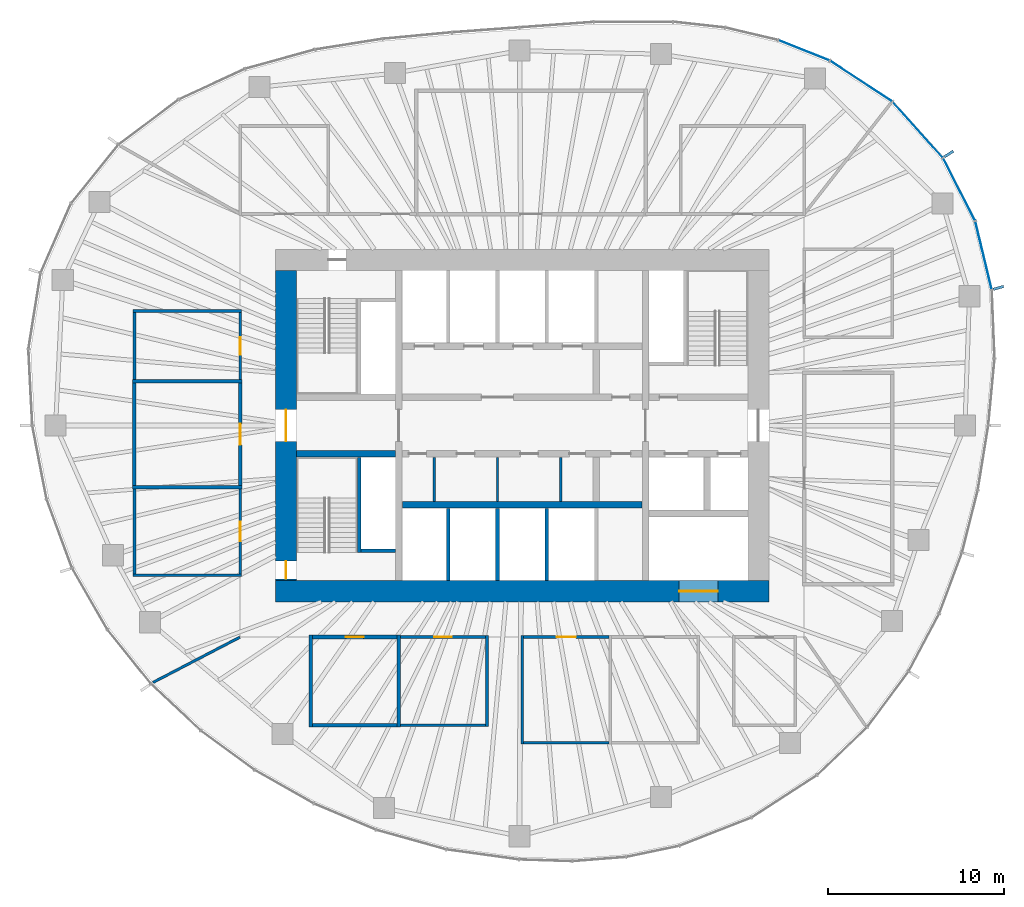
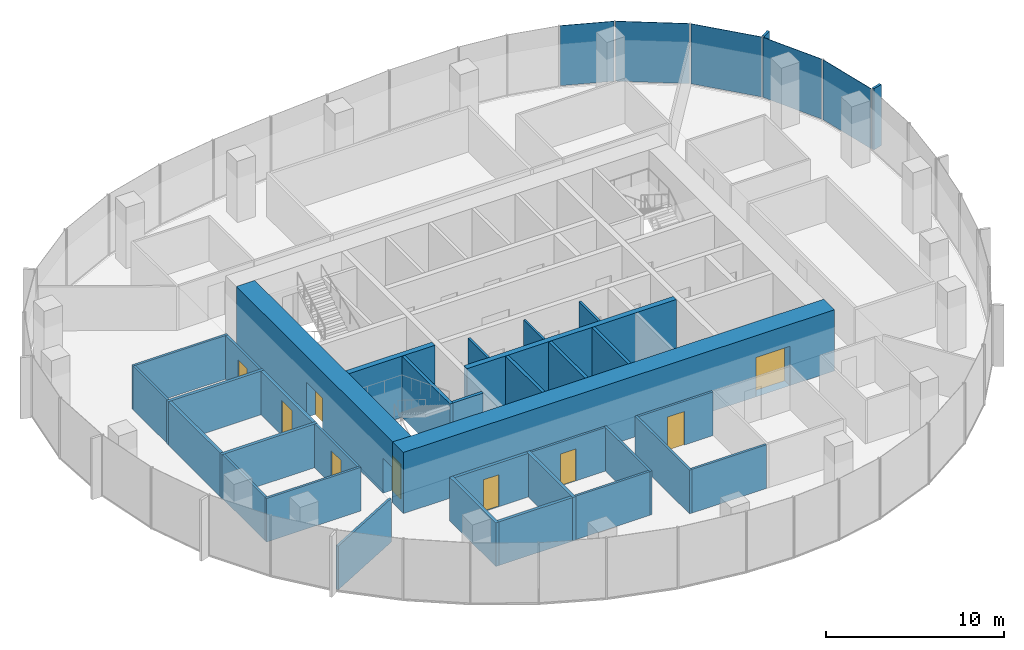
# One storey, part 8 of 11: 33 walls, 9 doors, 7 plates, 9 openings, 3 elements without a shape of their own.
"""IFC4 building model written with IfcOpenShell, lengths in metres."""

from ifc_helpers import new_model, si_unit, direction, frame, frame_2d, origin, origin_2d, place, context, subcontext, project, spatial, rectangle, extrude, material, layer, layer_set, type_object, element, fill, aggregate, save


model = new_model("IFC4")

# Units and contexts
model_context = context("Model", 3, precision=1e-05, world=origin(), true_north=direction((0.0, 1.0)))
body_context = subcontext(model_context, "Body", "Model", "MODEL_VIEW")
ifc_project = project(units=[si_unit("LENGTHUNIT", "METRE"), si_unit("AREAUNIT", "SQUARE_METRE"), si_unit("VOLUMEUNIT", "CUBIC_METRE"), si_unit("PLANEANGLEUNIT", "RADIAN"), si_unit("MASSUNIT", "GRAM", prefix="KILO")], contexts=[model_context])

# Site, building, storey
site_placement = place(None, origin())
site = spatial("IfcSite", under=ifc_project, at=site_placement, CompositionType="ELEMENT")
building_placement = place(site_placement, origin())
building = spatial("IfcBuilding", under=site, at=building_placement, Name="Ghaith Harvest Tower", CompositionType="ELEMENT")
storey_placement = place(building_placement, frame((0.0, 0.0, 257.800048828125)))
storey = spatial("IfcBuildingStorey", under=building, at=storey_placement, Name="L57", CompositionType="ELEMENT", Elevation=257.800048828125)

# Curtain wall, plates
ifc_material_1 = material(Name="Black anodised aluminium and fritted glass", Category="aluminium")
curtain_wall_type = type_object("IfcCurtainWallType", Name="CW-H CURTAIN WALL", PredefinedType="NOTDEFINED", material=ifc_material_1)
curtain_wall_1_placement = place(storey_placement, origin())
curtain_wall_1 = element("IfcCurtainWall", 1, at=curtain_wall_1_placement, inside=storey, type_object=curtain_wall_type, Name="Curtain wall CW-H bay 02 L57", PredefinedType="NOTDEFINED")
ifc_material_2 = material(Name="Glass, dark solar-control fritted double glazed unit", Category="glass")
ifc_layer_1 = layer(ifc_material_2, 0.030029296875)
ifc_layer_set_1 = layer_set([ifc_layer_1], Name="CW-H VISION PANEL")
plate_type_1 = type_object("IfcPlateType", Name="CW-H VISION PANEL", PredefinedType="CURTAIN_PANEL", material=ifc_layer_set_1)
plate_1_placement = place(storey_placement, frame((26.1767578125, 9.6533203125, 0.079833984375), z_axis=(0.0, 0.0, 1.0), x_axis=(-0.233894000303, 0.972262102842, 0.0)))
plate_1 = element("IfcPlate", 2, at=plate_1_placement, type_object=plate_type_1, Name="CW-H glass unit 1 bay 02 L57", PredefinedType="CURTAIN_PANEL", context=body_context, shape_type="SweptSolid", body=[
    extrude(rectangle(XDim=3.935546875, YDim=0.030029296875, at=origin_2d()), origin(), (0.0, 0.0, 1.0), 4.1201171875),
])
plate_2_placement = place(storey_placement, frame((24.790771484375, 13.399658203125, 0.079833984375), z_axis=(0.0, 0.0, 1.0), x_axis=(-0.454915320985, 0.890534699342, 0.0)))
plate_2 = element("IfcPlate", 3, at=plate_2_placement, type_object=plate_type_1, Name="CW-H glass unit 2 bay 02 L57", PredefinedType="CURTAIN_PANEL", context=body_context, shape_type="SweptSolid", body=[
    extrude(rectangle(XDim=3.949462890625, YDim=0.030029296875, at=origin_2d()), origin(), (0.0, 0.0, 1.0), 4.1201171875),
])
aggregate(curtain_wall_1, [plate_1, plate_2])

curtain_wall_2_placement = place(storey_placement, origin())
curtain_wall_2 = element("IfcCurtainWall", 4, at=curtain_wall_2_placement, inside=storey, type_object=curtain_wall_type, Name="Curtain wall CW-H bay 03 L57", PredefinedType="NOTDEFINED")
plate_3_placement = place(storey_placement, frame((22.44384765625, 16.783935546875, 0.079833984375), z_axis=(0.0, 0.0, 1.0), x_axis=(-0.668757736889, 0.743480389352, 0.0)))
plate_3 = element("IfcPlate", 5, at=plate_3_placement, type_object=plate_type_1, Name="CW-H glass unit 1 bay 03 L57", PredefinedType="CURTAIN_PANEL", context=body_context, shape_type="SweptSolid", body=[
    extrude(rectangle(XDim=4.19775390625, YDim=0.030029296875, at=origin_2d()), origin(), (0.0, 0.0, 1.0), 4.1201171875),
])
plate_4_placement = place(storey_placement, frame((19.236328125, 19.539306640625, 0.079833984375), z_axis=(0.0, 0.0, 1.0), x_axis=(-0.836276741583, 0.548307588392, 0.0)))
plate_4 = element("IfcPlate", 6, at=plate_4_placement, type_object=plate_type_1, Name="CW-H glass unit 2 bay 03 L57", PredefinedType="CURTAIN_PANEL", context=body_context, shape_type="SweptSolid", body=[
    extrude(rectangle(XDim=4.169677734375, YDim=0.030029296875, at=origin_2d()), origin(), (0.0, 0.0, 1.0), 4.1201171875),
])
aggregate(curtain_wall_2, [plate_3, plate_4])

# Curtain wall, plate
curtain_wall_3_placement = place(storey_placement, origin())
curtain_wall_3 = element("IfcCurtainWall", 7, at=curtain_wall_3_placement, inside=storey, type_object=curtain_wall_type, Name="Curtain wall CW-H bay 04 L57", PredefinedType="NOTDEFINED")
plate_5_placement = place(storey_placement, frame((15.993408203125, 21.287841796875, 0.079833984375), z_axis=(0.0, 0.0, 1.0), x_axis=(-0.929107322045, 0.369810200133, 0.0)))
plate_5 = element("IfcPlate", 8, at=plate_5_placement, type_object=plate_type_1, Name="CW-H glass unit 1 bay 04 L57", PredefinedType="CURTAIN_PANEL", context=body_context, shape_type="SweptSolid", body=[
    extrude(rectangle(XDim=3.075927734375, YDim=0.030029296875, at=origin_2d()), origin(), (0.0, 0.0, 1.0), 4.1201171875),
])
aggregate(curtain_wall_3, [plate_5])

# Plates
ifc_material_3 = material(Name="Glassfibre-reinforced concrete", Category="concrete")
ifc_layer_2 = layer(ifc_material_3, 0.14990234375)
ifc_layer_set_2 = layer_set([ifc_layer_2], Name="SUN-BREAKER FIN 600x150")
plate_type_2 = type_object("IfcPlateType", Name="SUN-BREAKER FIN 600x150", PredefinedType="USERDEFINED", material=ifc_layer_set_2)
for number, where, z_axis, x_axis, name in (
    (9, (27.03076171875, 7.8125, 0.0), (0.0, 0.0, 1.0), (0.960680349985, 0.277656739792, 0.0), "Sun-breaker fin CW-H 1 bay 02 L57"),
    (10, (24.211669921875, 15.408447265625, 0.0), (0.0, 0.0, 1.0), (0.843643971464, 0.536903016766, 0.0), "Sun-breaker fin CW-H 1 bay 03 L57"),
):
    element("IfcPlate", number, at=place(storey_placement, frame(where, z_axis=z_axis, x_axis=x_axis)), inside=storey, type_object=plate_type_2, Name=name, ObjectType="SUN-BREAKER FIN", PredefinedType="USERDEFINED", context=body_context, shape_type="SweptSolid", body=[
        extrude(rectangle(XDim=0.60009765625, YDim=0.14990234375, at=origin_2d()), origin(), (0.0, 0.0, 1.0), 4.199951171875),
    ])

# Walls
ifc_material_4 = material(Name="Twin-stud gypsum board, acoustic", Category="gypsum")
ifc_layer_3 = layer(ifc_material_4, 0.199951171875)
ifc_layer_set_3 = layer_set([ifc_layer_3], Name="ACOUSTIC PARTITION 200")
wall_type_1 = type_object("IfcWallType", Name="ACOUSTIC PARTITION 200", PredefinedType="PARTITIONING", material=ifc_layer_set_3)
for number, where, z_axis, x_axis, name in (
    (11, (-12.0, -11.89990234375, 0.0), (0.0, 0.0, 1.0), (0.0, -1.0, 0.0), "Partition L57 row S5 cross wall 1"),
    (12, (-7.0, -11.89990234375, 0.0), (0.0, 0.0, 1.0), (0.0, -1.0, 0.0), "Partition L57 row S5 cross wall 2"),
):
    element("IfcWall", number, at=place(storey_placement, frame(where, z_axis=z_axis, x_axis=x_axis)), inside=storey, type_object=wall_type_1, Name=name, PredefinedType="PARTITIONING", context=body_context, shape_type="SweptSolid", body=[
        extrude(rectangle(XDim=5.2001953125, YDim=0.199951171875, at=frame_2d((2.60009765625, 0.0))), origin(), (0.0, 0.0, 1.0), 3.0),
    ])

# Wall, opening, door
wall_1_placement = place(storey_placement, frame((-11.89990234375, -12.0, 0.0), z_axis=(0.0, 0.0, 1.0), x_axis=(1.0, 0.0, 0.0)))
wall_1 = element("IfcWall", 13, at=wall_1_placement, inside=storey, type_object=wall_type_1, Name="Partition L57-05", PredefinedType="PARTITIONING", context=body_context, shape_type="SweptSolid", body=[
    extrude(rectangle(XDim=4.7998046875, YDim=0.199951171875, at=frame_2d((2.39990234375, 0.0))), origin(), (0.0, 0.0, 1.0), 3.0),
])
opening_1_placement = place(wall_1_placement, frame((1.89990234375, 0.0, 0.0)))
opening_1 = element("IfcOpeningElement", 14, at=opening_1_placement, cuts=wall_1, Name="Opening 57-026", PredefinedType="OPENING", context=body_context, shape_type="SweptSolid", body=[
    extrude(rectangle(XDim=1.0, YDim=2.199951171875, at=frame_2d((0.5, 1.10009765625))), frame((0.0, 0.10986328125, 0.0), z_axis=(0.0, -1.0, 0.0), x_axis=(1.0, 0.0, 0.0)), (0.0, 0.0, 1.0), 0.219970703125),
])
ifc_material_5 = material(Name="Timber door", Category="wood")
door_type_1 = type_object("IfcDoorType", Name="D1 SINGLE 1000x2200", OperationType="SINGLE_SWING_LEFT", PredefinedType="DOOR", material=ifc_material_5)
door_1_placement = place(opening_1_placement, origin())
door_1 = element("IfcDoor", 15, at=door_1_placement, inside=storey, type_object=door_type_1, Name="Prayer room door", OperationType="SINGLE_SWING_LEFT", OverallHeight=2.199951171875, OverallWidth=1.0, PredefinedType="DOOR", context=body_context, shape_type="SweptSolid", body=[
    extrude(rectangle(XDim=1.0, YDim=2.199951171875, at=frame_2d((0.5, 1.10009765625))), frame((0.0, 0.02490234375, 0.0), z_axis=(0.0, -1.0, 0.0), x_axis=(1.0, 0.0, 0.0)), (0.0, 0.0, 1.0), 0.050048828125),
])
fill(opening_1, door_1)

# Walls
wall_2_placement = place(storey_placement, frame((-11.89990234375, -17.0, 0.0), z_axis=(0.0, 0.0, 1.0), x_axis=(1.0, 0.0, 0.0)))
element("IfcWall", 16, at=wall_2_placement, inside=storey, type_object=wall_type_1, Name="Partition L57-05", PredefinedType="PARTITIONING", context=body_context, shape_type="SweptSolid", body=[
    extrude(rectangle(XDim=4.7998046875, YDim=0.199951171875, at=frame_2d((2.39990234375, 0.0))), origin(), (0.0, 0.0, 1.0), 3.0),
])
for number, where, z_axis, x_axis, name in (
    (17, (-15.89990234375, -3.5, 0.0), (0.0, 0.0, 1.0), (-1.0, 0.0, 0.0), "Partition L57 row W7 cross wall 2"),
    (18, (-15.89990234375, 2.5, 0.0), (0.0, 0.0, 1.0), (-1.0, 0.0, 0.0), "Partition L57 row W7 cross wall 3"),
):
    element("IfcWall", number, at=place(storey_placement, frame(where, z_axis=z_axis, x_axis=x_axis)), inside=storey, type_object=wall_type_1, Name=name, PredefinedType="PARTITIONING", context=body_context, shape_type="SweptSolid", body=[
        extrude(rectangle(XDim=6.2001953125, YDim=0.199951171875, at=frame_2d((3.10009765625, 0.0))), origin(), (0.0, 0.0, 1.0), 3.0),
    ])

# Wall, opening, door
wall_3_placement = place(storey_placement, frame((-16.0, -3.39990234375, 0.0), z_axis=(0.0, 0.0, 1.0), x_axis=(0.0, 1.0, 0.0)))
wall_3 = element("IfcWall", 19, at=wall_3_placement, inside=storey, type_object=wall_type_1, Name="Partition L57-10", PredefinedType="PARTITIONING", context=body_context, shape_type="SweptSolid", body=[
    extrude(rectangle(XDim=5.7998046875, YDim=0.199951171875, at=frame_2d((2.89990234375, 0.0))), origin(), (0.0, 0.0, 1.0), 3.0),
])
opening_2_placement = place(wall_3_placement, frame((2.300048828125, 0.0, 0.0)))
opening_2 = element("IfcOpeningElement", 20, at=opening_2_placement, cuts=wall_3, Name="Opening 57-031", PredefinedType="OPENING", context=body_context, shape_type="SweptSolid", body=[
    extrude(rectangle(XDim=1.199951171875, YDim=2.39990234375, at=frame_2d((0.60009765625, 1.199951171875))), frame((0.0, 0.10986328125, 0.0), z_axis=(0.0, -1.0, 0.0), x_axis=(1.0, 0.0, 0.0)), (0.0, 0.0, 1.0), 0.219970703125),
])
ifc_material_6 = material(Name="Timber door", Category="wood")
door_type_2 = type_object("IfcDoorType", Name="D11 GLAZED 1200x2400", OperationType="SINGLE_SWING_LEFT", PredefinedType="DOOR", material=ifc_material_6)
door_2_placement = place(opening_2_placement, origin())
door_2 = element("IfcDoor", 21, at=door_2_placement, inside=storey, type_object=door_type_2, Name="Meeting room door", OperationType="SINGLE_SWING_LEFT", OverallHeight=2.39990234375, OverallWidth=1.199951171875, PredefinedType="DOOR", context=body_context, shape_type="SweptSolid", body=[
    extrude(rectangle(XDim=1.199951171875, YDim=2.39990234375, at=frame_2d((0.60009765625, 1.199951171875))), frame((0.0, 0.02490234375, 0.0), z_axis=(0.0, -1.0, 0.0), x_axis=(1.0, 0.0, 0.0)), (0.0, 0.0, 1.0), 0.050048828125),
])
fill(opening_2, door_2)

# Walls
wall_4_placement = place(storey_placement, frame((-22.0, -3.39990234375, 0.0), z_axis=(0.0, 0.0, 1.0), x_axis=(0.0, 1.0, 0.0)))
element("IfcWall", 22, at=wall_4_placement, inside=storey, type_object=wall_type_1, Name="Partition L57-10", PredefinedType="PARTITIONING", context=body_context, shape_type="SweptSolid", body=[
    extrude(rectangle(XDim=5.7998046875, YDim=0.199951171875, at=frame_2d((2.89990234375, 0.0))), origin(), (0.0, 0.0, 1.0), 3.0),
])
ifc_material_7 = material(Name="Concrete blockwork, fair-faced", Category="masonry")
ifc_layer_4 = layer(ifc_material_7, 0.139892578125)
ifc_layer_set_4 = layer_set([ifc_layer_4], Name="CORE PARTITION 140")
wall_type_2 = type_object("IfcWallType", Name="CORE PARTITION 140", PredefinedType="PARTITIONING", material=ifc_layer_set_4)
for number, where, z_axis, x_axis, name in (
    (23, (-5.0, -1.800048828125, 0.0), (0.0, 0.0, 1.0), (0.0, -1.0, 0.0), "Core partition L57"),
    (24, (-1.39990234375, -1.800048828125, 0.0), (0.0, 0.0, 1.0), (0.0, -1.0, 0.0), "Core partition L57"),
    (25, (2.199951171875, -1.800048828125, 0.0), (0.0, 0.0, 1.0), (0.0, -1.0, 0.0), "Core partition L57"),
):
    element("IfcWall", number, at=place(storey_placement, frame(where, z_axis=z_axis, x_axis=x_axis)), inside=storey, type_object=wall_type_2, Name=name, PredefinedType="PARTITIONING", context=body_context, shape_type="SweptSolid", body=[
        extrude(rectangle(XDim=2.5, YDim=0.139892578125, at=frame_2d((1.25, 0.0))), origin(), (0.0, 0.0, 1.0), 3.949951171875),
    ])

# Wall, opening, door
ifc_material_8 = material(Name="Concrete C60/75", Category="concrete")
ifc_layer_5 = layer(ifc_material_8, 1.199951171875)
ifc_layer_set_5 = layer_set([ifc_layer_5], Name="CORE WALL CW1200 C60")
wall_type_3 = type_object("IfcWallType", Name="CORE WALL CW1200 C60", PredefinedType="SHEAR", material=ifc_layer_set_5)
wall_5_placement = place(storey_placement, frame((-14.0, -9.39990234375, 0.0), z_axis=(0.0, 0.0, 1.0), x_axis=(1.0, 0.0, 0.0)))
wall_5 = element("IfcWall", 26, at=wall_5_placement, inside=storey, type_object=wall_type_3, Name="Core wall S L57", PredefinedType="SHEAR", context=body_context, shape_type="SweptSolid", body=[
    extrude(rectangle(XDim=28.0, YDim=1.199951171875, at=frame_2d((14.0, 0.0))), origin(), (0.0, 0.0, 1.0), 4.199951171875),
])
opening_3_placement = place(wall_5_placement, frame((22.89990234375, 0.0, 0.0)))
opening_3 = element("IfcOpeningElement", 27, at=opening_3_placement, cuts=wall_5, Name="Opening 57-021", PredefinedType="OPENING", context=body_context, shape_type="SweptSolid", body=[
    extrude(rectangle(XDim=2.199951171875, YDim=2.699951171875, at=frame_2d((1.10009765625, 1.35009765625))), frame((0.0, 0.60986328125, 0.0), z_axis=(0.0, -1.0, 0.0), x_axis=(1.0, 0.0, 0.0)), (0.0, 0.0, 1.0), 1.219970703125),
])
ifc_material_9 = material(Name="Steel fire door", Category="steel")
door_type_3 = type_object("IfcDoorType", Name="LD3 LANDING 2200x2700", OperationType="DOUBLE_DOOR_SLIDING", PredefinedType="DOOR", material=ifc_material_9)
door_3_placement = place(opening_3_placement, origin())
door_3 = element("IfcDoor", 28, at=door_3_placement, inside=storey, type_object=door_type_3, Name="Landing door, goods lift GL1", OperationType="DOUBLE_DOOR_SLIDING", OverallHeight=2.699951171875, OverallWidth=2.199951171875, PredefinedType="DOOR", context=body_context, shape_type="SweptSolid", body=[
    extrude(rectangle(XDim=2.199951171875, YDim=2.699951171875, at=frame_2d((1.10009765625, 1.35009765625))), frame((0.0, 0.02490234375, 0.0), z_axis=(0.0, -1.0, 0.0), x_axis=(1.0, 0.0, 0.0)), (0.0, 0.0, 1.0), 0.050048828125),
])
fill(opening_3, door_3)

# Wall, openings, doors
wall_6_placement = place(storey_placement, frame((-13.39990234375, 8.800048828125, 0.0), z_axis=(0.0, 0.0, 1.0), x_axis=(0.0, -1.0, 0.0)))
wall_6 = element("IfcWall", 29, at=wall_6_placement, inside=storey, type_object=wall_type_3, Name="Core wall W L57", PredefinedType="SHEAR", context=body_context, shape_type="SweptSolid", body=[
    extrude(rectangle(XDim=17.60009765625, YDim=1.199951171875, at=frame_2d((8.800048828125, 0.0))), origin(), (0.0, 0.0, 1.0), 4.199951171875),
])
opening_4_placement = place(wall_6_placement, frame((7.89990234375, 0.0, 0.0)))
opening_4 = element("IfcOpeningElement", 30, at=opening_4_placement, cuts=wall_6, Name="Opening 57-001", PredefinedType="OPENING", context=body_context, shape_type="SweptSolid", body=[
    extrude(rectangle(XDim=1.800048828125, YDim=2.39990234375, at=frame_2d((0.89990234375, 1.199951171875))), frame((0.0, 0.60986328125, 0.0), z_axis=(0.0, -1.0, 0.0), x_axis=(1.0, 0.0, 0.0)), (0.0, 0.0, 1.0), 1.219970703125),
])
opening_5_placement = place(wall_6_placement, frame((16.5, 0.0, 0.0)))
opening_5 = element("IfcOpeningElement", 31, at=opening_5_placement, cuts=wall_6, Name="Opening 57-006", PredefinedType="OPENING", context=body_context, shape_type="SweptSolid", body=[
    extrude(rectangle(XDim=1.0, YDim=2.39990234375, at=frame_2d((0.5, 1.199951171875))), frame((0.0, 0.60986328125, 0.0), z_axis=(0.0, -1.0, 0.0), x_axis=(1.0, 0.0, 0.0)), (0.0, 0.0, 1.0), 1.219970703125),
])
ifc_material_10 = material(Name="Steel fire door", Category="steel")
door_type_4 = type_object("IfcDoorType", Name="D3 FD90 1000x2400", OperationType="SINGLE_SWING_LEFT", PredefinedType="DOOR", material=ifc_material_10)
door_4_placement = place(opening_5_placement, origin())
door_4 = element("IfcDoor", 32, at=door_4_placement, inside=storey, type_object=door_type_4, Name="Stair ST3 door", OperationType="SINGLE_SWING_RIGHT", OverallHeight=2.39990234375, OverallWidth=1.0, PredefinedType="DOOR", context=body_context, shape_type="SweptSolid", body=[
    extrude(rectangle(XDim=1.0, YDim=2.39990234375, at=frame_2d((0.5, 1.199951171875))), frame((0.0, 0.02490234375, 0.0), z_axis=(0.0, -1.0, 0.0), x_axis=(1.0, 0.0, 0.0)), (0.0, 0.0, 1.0), 0.050048828125),
])
fill(opening_5, door_4)
ifc_material_11 = material(Name="Steel fire door", Category="steel")
door_type_5 = type_object("IfcDoorType", Name="D4 FD90 PAIR 1800x2400", OperationType="DOUBLE_DOOR_SINGLE_SWING", PredefinedType="DOOR", material=ifc_material_11)
door_5_placement = place(opening_4_placement, origin())
door_5 = element("IfcDoor", 33, at=door_5_placement, inside=storey, type_object=door_type_5, Name="West lobby doors", OperationType="DOUBLE_DOOR_SINGLE_SWING", OverallHeight=2.39990234375, OverallWidth=1.800048828125, PredefinedType="DOOR", context=body_context, shape_type="SweptSolid", body=[
    extrude(rectangle(XDim=1.800048828125, YDim=2.39990234375, at=frame_2d((0.89990234375, 1.199951171875))), frame((0.0, 0.02490234375, 0.0), z_axis=(0.0, -1.0, 0.0), x_axis=(1.0, 0.0, 0.0)), (0.0, 0.0, 1.0), 0.050048828125),
])
fill(opening_4, door_5)

# Walls
ifc_material_12 = material(Name="Concrete blockwork, 2-hour", Category="masonry")
ifc_layer_6 = layer(ifc_material_12, 0.199951171875)
ifc_layer_set_6 = layer_set([ifc_layer_6], Name="LIFT SHAFT WALL 200")
wall_type_4 = type_object("IfcWallType", Name="LIFT SHAFT WALL 200", PredefinedType="PARTITIONING", material=ifc_layer_set_6)
for number, where, z_axis, x_axis, name in (
    (34, (-4.199951171875, -4.699951171875, 0.0), (0.0, 0.0, 1.0), (0.0, -1.0, 0.0), "Lift shaft wall L57"),
    (35, (-1.39990234375, -4.699951171875, 0.0), (0.0, 0.0, 1.0), (0.0, -1.0, 0.0), "Lift shaft wall L57"),
    (36, (1.39990234375, -4.699951171875, 0.0), (0.0, 0.0, 1.0), (0.0, -1.0, 0.0), "Lift shaft wall L57"),
):
    element("IfcWall", number, at=place(storey_placement, frame(where, z_axis=z_axis, x_axis=x_axis)), inside=storey, type_object=wall_type_4, Name=name, PredefinedType="PARTITIONING", context=body_context, shape_type="SweptSolid", body=[
        extrude(rectangle(XDim=4.10009765625, YDim=0.199951171875, at=frame_2d((2.050048828125, 0.0))), origin(), (0.0, 0.0, 1.0), 4.199951171875),
    ])
ifc_material_13 = material(Name="Gypsum board on steel studs", Category="steel")
ifc_layer_7 = layer(ifc_material_13, 0.14990234375)
ifc_layer_set_7 = layer_set([ifc_layer_7], Name="PARTITION 150")
wall_type_5 = type_object("IfcWallType", Name="PARTITION 150", PredefinedType="PARTITIONING", material=ifc_layer_set_7)
wall_7_placement = place(storey_placement, frame((-2.0, -11.925048828125, 0.0), z_axis=(0.0, 0.0, 1.0), x_axis=(0.0, -1.0, 0.0)))
element("IfcWall", 37, at=wall_7_placement, inside=storey, type_object=wall_type_5, Name="Partition L57 row S5 cross wall 3", PredefinedType="PARTITIONING", context=body_context, shape_type="SweptSolid", body=[
    extrude(rectangle(XDim=5.14990234375, YDim=0.14990234375, at=frame_2d((2.574951171875, 0.0))), origin(), (0.0, 0.0, 1.0), 3.0),
])

# Wall, opening, door
wall_8_placement = place(storey_placement, frame((-6.89990234375, -12.0, 0.0), z_axis=(0.0, 0.0, 1.0), x_axis=(1.0, 0.0, 0.0)))
wall_8 = element("IfcWall", 38, at=wall_8_placement, inside=storey, type_object=wall_type_5, Name="Partition L57-06", PredefinedType="PARTITIONING", context=body_context, shape_type="SweptSolid", body=[
    extrude(rectangle(XDim=4.824951171875, YDim=0.14990234375, at=frame_2d((2.41259765625, 0.0))), origin(), (0.0, 0.0, 1.0), 3.0),
])
opening_6_placement = place(wall_8_placement, frame((1.91259765625, 0.0, 0.0)))
opening_6 = element("IfcOpeningElement", 39, at=opening_6_placement, cuts=wall_8, Name="Opening 57-027", PredefinedType="OPENING", context=body_context, shape_type="SweptSolid", body=[
    extrude(rectangle(XDim=1.0, YDim=2.199951171875, at=frame_2d((0.5, 1.10009765625))), frame((0.0, 0.0849609375, 0.0), z_axis=(0.0, -1.0, 0.0), x_axis=(1.0, 0.0, 0.0)), (0.0, 0.0, 1.0), 0.169921875),
])
door_6_placement = place(opening_6_placement, origin())
door_6 = element("IfcDoor", 40, at=door_6_placement, inside=storey, type_object=door_type_1, Name="Pantry door", OperationType="SINGLE_SWING_LEFT", OverallHeight=2.199951171875, OverallWidth=1.0, PredefinedType="DOOR", context=body_context, shape_type="SweptSolid", body=[
    extrude(rectangle(XDim=1.0, YDim=2.199951171875, at=frame_2d((0.5, 1.10009765625))), frame((0.0, 0.02490234375, 0.0), z_axis=(0.0, -1.0, 0.0), x_axis=(1.0, 0.0, 0.0)), (0.0, 0.0, 1.0), 0.050048828125),
])
fill(opening_6, door_6)

# Walls
wall_9_placement = place(storey_placement, frame((-6.89990234375, -17.0, 0.0), z_axis=(0.0, 0.0, 1.0), x_axis=(1.0, 0.0, 0.0)))
element("IfcWall", 41, at=wall_9_placement, inside=storey, type_object=wall_type_5, Name="Partition L57-06", PredefinedType="PARTITIONING", context=body_context, shape_type="SweptSolid", body=[
    extrude(rectangle(XDim=4.824951171875, YDim=0.14990234375, at=frame_2d((2.41259765625, 0.0))), origin(), (0.0, 0.0, 1.0), 3.0),
])
wall_10_placement = place(storey_placement, frame((0.0, -11.925048828125, 0.0), z_axis=(0.0, 0.0, 1.0), x_axis=(0.0, -1.0, 0.0)))
element("IfcWall", 42, at=wall_10_placement, inside=storey, type_object=wall_type_5, Name="Partition L57 row S6 cross wall 1", PredefinedType="PARTITIONING", context=body_context, shape_type="SweptSolid", body=[
    extrude(rectangle(XDim=6.14990234375, YDim=0.14990234375, at=frame_2d((3.074951171875, 0.0))), origin(), (0.0, 0.0, 1.0), 3.0),
])

# Wall, opening, door
wall_11_placement = place(storey_placement, frame((0.074951171875, -12.0, 0.0), z_axis=(0.0, 0.0, 1.0), x_axis=(1.0, 0.0, 0.0)))
wall_11 = element("IfcWall", 43, at=wall_11_placement, inside=storey, type_object=wall_type_5, Name="Partition L57-07", PredefinedType="PARTITIONING", context=body_context, shape_type="SweptSolid", body=[
    extrude(rectangle(XDim=4.85009765625, YDim=0.14990234375, at=frame_2d((2.425048828125, 0.0))), origin(), (0.0, 0.0, 1.0), 3.0),
])
opening_7_placement = place(wall_11_placement, frame((1.875, 0.0, 0.0)))
opening_7 = element("IfcOpeningElement", 44, at=opening_7_placement, cuts=wall_11, Name="Opening 57-028", PredefinedType="OPENING", context=body_context, shape_type="SweptSolid", body=[
    extrude(rectangle(XDim=1.10009765625, YDim=2.300048828125, at=frame_2d((0.550048828125, 1.14990234375))), frame((0.0, 0.0849609375, 0.0), z_axis=(0.0, -1.0, 0.0), x_axis=(1.0, 0.0, 0.0)), (0.0, 0.0, 1.0), 0.169921875),
])
ifc_material_14 = material(Name="Timber-framed glazed door", Category="wood")
door_type_6 = type_object("IfcDoorType", Name="D12 GLAZED OFFICE 1100x2300", OperationType="SINGLE_SWING_LEFT", PredefinedType="DOOR", material=ifc_material_14)
door_7_placement = place(opening_7_placement, origin())
door_7 = element("IfcDoor", 45, at=door_7_placement, inside=storey, type_object=door_type_6, Name="Office door", OperationType="SINGLE_SWING_LEFT", OverallHeight=2.300048828125, OverallWidth=1.10009765625, PredefinedType="DOOR", context=body_context, shape_type="SweptSolid", body=[
    extrude(rectangle(XDim=1.10009765625, YDim=2.300048828125, at=frame_2d((0.550048828125, 1.14990234375))), frame((0.0, 0.02490234375, 0.0), z_axis=(0.0, -1.0, 0.0), x_axis=(1.0, 0.0, 0.0)), (0.0, 0.0, 1.0), 0.050048828125),
])
fill(opening_7, door_7)

# Walls
wall_12_placement = place(storey_placement, frame((0.074951171875, -18.0, 0.0), z_axis=(0.0, 0.0, 1.0), x_axis=(1.0, 0.0, 0.0)))
element("IfcWall", 46, at=wall_12_placement, inside=storey, type_object=wall_type_5, Name="Partition L57-07", PredefinedType="PARTITIONING", context=body_context, shape_type="SweptSolid", body=[
    extrude(rectangle(XDim=4.85009765625, YDim=0.14990234375, at=frame_2d((2.425048828125, 0.0))), origin(), (0.0, 0.0, 1.0), 3.0),
])
for number, where, z_axis, x_axis, name in (
    (47, (-15.925048828125, -8.5, 0.0), (0.0, 0.0, 1.0), (-1.0, 0.0, 0.0), "Partition L57 row W7 cross wall 1"),
    (48, (-15.925048828125, 6.5, 0.0), (0.0, 0.0, 1.0), (-1.0, 0.0, 0.0), "Partition L57 row W7 cross wall 4"),
):
    element("IfcWall", number, at=place(storey_placement, frame(where, z_axis=z_axis, x_axis=x_axis)), inside=storey, type_object=wall_type_5, Name=name, PredefinedType="PARTITIONING", context=body_context, shape_type="SweptSolid", body=[
        extrude(rectangle(XDim=6.14990234375, YDim=0.14990234375, at=frame_2d((3.074951171875, 0.0))), origin(), (0.0, 0.0, 1.0), 3.0),
    ])

# Wall, opening, door
wall_13_placement = place(storey_placement, frame((-16.0, -8.425048828125, 0.0), z_axis=(0.0, 0.0, 1.0), x_axis=(0.0, 1.0, 0.0)))
wall_13 = element("IfcWall", 49, at=wall_13_placement, inside=storey, type_object=wall_type_5, Name="Partition L57-09", PredefinedType="PARTITIONING", context=body_context, shape_type="SweptSolid", body=[
    extrude(rectangle(XDim=4.824951171875, YDim=0.14990234375, at=frame_2d((2.41259765625, 0.0))), origin(), (0.0, 0.0, 1.0), 3.0),
])
opening_8_placement = place(wall_13_placement, frame((1.862548828125, 0.0, 0.0)))
opening_8 = element("IfcOpeningElement", 50, at=opening_8_placement, cuts=wall_13, Name="Opening 57-030", PredefinedType="OPENING", context=body_context, shape_type="SweptSolid", body=[
    extrude(rectangle(XDim=1.10009765625, YDim=2.300048828125, at=frame_2d((0.550048828125, 1.14990234375))), frame((0.0, 0.0849609375, 0.0), z_axis=(0.0, -1.0, 0.0), x_axis=(1.0, 0.0, 0.0)), (0.0, 0.0, 1.0), 0.169921875),
])
door_8_placement = place(opening_8_placement, origin())
door_8 = element("IfcDoor", 51, at=door_8_placement, inside=storey, type_object=door_type_6, Name="Office door", OperationType="SINGLE_SWING_LEFT", OverallHeight=2.300048828125, OverallWidth=1.10009765625, PredefinedType="DOOR", context=body_context, shape_type="SweptSolid", body=[
    extrude(rectangle(XDim=1.10009765625, YDim=2.300048828125, at=frame_2d((0.550048828125, 1.14990234375))), frame((0.0, 0.02490234375, 0.0), z_axis=(0.0, -1.0, 0.0), x_axis=(1.0, 0.0, 0.0)), (0.0, 0.0, 1.0), 0.050048828125),
])
fill(opening_8, door_8)

# Wall
wall_14_placement = place(storey_placement, frame((-22.0, -8.425048828125, 0.0), z_axis=(0.0, 0.0, 1.0), x_axis=(0.0, 1.0, 0.0)))
element("IfcWall", 52, at=wall_14_placement, inside=storey, type_object=wall_type_5, Name="Partition L57-09", PredefinedType="PARTITIONING", context=body_context, shape_type="SweptSolid", body=[
    extrude(rectangle(XDim=4.824951171875, YDim=0.14990234375, at=frame_2d((2.41259765625, 0.0))), origin(), (0.0, 0.0, 1.0), 3.0),
])

# Wall, opening, door
wall_15_placement = place(storey_placement, frame((-16.0, 2.60009765625, 0.0), z_axis=(0.0, 0.0, 1.0), x_axis=(0.0, 1.0, 0.0)))
wall_15 = element("IfcWall", 53, at=wall_15_placement, inside=storey, type_object=wall_type_5, Name="Partition L57-11", PredefinedType="PARTITIONING", context=body_context, shape_type="SweptSolid", body=[
    extrude(rectangle(XDim=3.824951171875, YDim=0.14990234375, at=frame_2d((1.91259765625, 0.0))), origin(), (0.0, 0.0, 1.0), 3.0),
])
opening_9_placement = place(wall_15_placement, frame((1.41259765625, 0.0, 0.0)))
opening_9 = element("IfcOpeningElement", 54, at=opening_9_placement, cuts=wall_15, Name="Opening 57-032", PredefinedType="OPENING", context=body_context, shape_type="SweptSolid", body=[
    extrude(rectangle(XDim=1.0, YDim=2.199951171875, at=frame_2d((0.5, 1.10009765625))), frame((0.0, 0.0849609375, 0.0), z_axis=(0.0, -1.0, 0.0), x_axis=(1.0, 0.0, 0.0)), (0.0, 0.0, 1.0), 0.169921875),
])
door_9_placement = place(opening_9_placement, origin())
door_9 = element("IfcDoor", 55, at=door_9_placement, inside=storey, type_object=door_type_1, Name="Store door", OperationType="SINGLE_SWING_LEFT", OverallHeight=2.199951171875, OverallWidth=1.0, PredefinedType="DOOR", context=body_context, shape_type="SweptSolid", body=[
    extrude(rectangle(XDim=1.0, YDim=2.199951171875, at=frame_2d((0.5, 1.10009765625))), frame((0.0, 0.02490234375, 0.0), z_axis=(0.0, -1.0, 0.0), x_axis=(1.0, 0.0, 0.0)), (0.0, 0.0, 1.0), 0.050048828125),
])
fill(opening_9, door_9)

# Walls
wall_16_placement = place(storey_placement, frame((-22.0, 2.60009765625, 0.0), z_axis=(0.0, 0.0, 1.0), x_axis=(0.0, 1.0, 0.0)))
element("IfcWall", 56, at=wall_16_placement, inside=storey, type_object=wall_type_5, Name="Partition L57-11", PredefinedType="PARTITIONING", context=body_context, shape_type="SweptSolid", body=[
    extrude(rectangle(XDim=3.824951171875, YDim=0.14990234375, at=frame_2d((1.91259765625, 0.0))), origin(), (0.0, 0.0, 1.0), 3.0),
])
wall_17_placement = place(storey_placement, frame((-16.017578125, -12.00927734375, 0.0), z_axis=(0.0, 0.0, 1.0), x_axis=(-0.886831549241, -0.462092851351, 0.0)))
element("IfcWall", 57, at=wall_17_placement, inside=storey, type_object=wall_type_5, Name="Partition L57 zone division", PredefinedType="PARTITIONING", context=body_context, shape_type="SweptSolid", body=[
    extrude(rectangle(XDim=5.555419921875, YDim=0.14990234375, at=frame_2d((2.77783203125, 0.0))), origin(), (0.0, 0.0, 1.0), 3.0),
])
ifc_material_15 = material(Name="Concrete C60/75", Category="concrete")
ifc_layer_8 = layer(ifc_material_15, 0.35009765625)
ifc_layer_set_8 = layer_set([ifc_layer_8], Name="SHAFT WALL 350")
wall_type_6 = type_object("IfcWallType", Name="SHAFT WALL 350", PredefinedType="SHEAR", material=ifc_layer_set_8)
wall_18_placement = place(storey_placement, frame((-6.800048828125, -4.5, 0.0), z_axis=(0.0, 0.0, 1.0), x_axis=(1.0, 0.0, 0.0)))
element("IfcWall", 58, at=wall_18_placement, inside=storey, type_object=wall_type_6, Name="Shaft wall BS L57", PredefinedType="SHEAR", context=body_context, shape_type="SweptSolid", body=[
    extrude(rectangle(XDim=13.60009765625, YDim=0.35009765625, at=frame_2d((6.800048828125, 0.0))), origin(), (0.0, 0.0, 1.0), 4.199951171875),
])
wall_19_placement = place(storey_placement, frame((-12.800048828125, -1.60009765625, 0.0), z_axis=(0.0, 0.0, 1.0), x_axis=(1.0, 0.0, 0.0)))
element("IfcWall", 59, at=wall_19_placement, inside=storey, type_object=wall_type_6, Name="Shaft wall WS L57", PredefinedType="SHEAR", context=body_context, shape_type="SweptSolid", body=[
    extrude(rectangle(XDim=5.60009765625, YDim=0.35009765625, at=frame_2d((2.800048828125, 0.0))), origin(), (0.0, 0.0, 1.0), 4.199951171875),
])
ifc_material_16 = material(Name="Concrete C40/50", Category="concrete")
ifc_layer_9 = layer(ifc_material_16, 0.199951171875)
ifc_layer_set_9 = layer_set([ifc_layer_9], Name="STAIR SPINE WALL RC200")
wall_type_7 = type_object("IfcWallType", Name="STAIR SPINE WALL RC200", PredefinedType="SOLIDWALL", material=ifc_layer_set_9)
wall_20_placement = place(storey_placement, frame((-9.25, -7.199951171875, 0.0), z_axis=(0.0, 0.0, 1.0), x_axis=(0.0, 1.0, 0.0)))
element("IfcWall", 60, at=wall_20_placement, inside=storey, type_object=wall_type_7, Name="Stair ST3 spine wall L57", PredefinedType="SOLIDWALL", context=body_context, shape_type="SweptSolid", body=[
    extrude(rectangle(XDim=5.39990234375, YDim=0.199951171875, at=frame_2d((2.699951171875, 0.0))), origin(), (0.0, 0.0, 1.0), 4.199951171875),
])
wall_21_placement = place(storey_placement, frame((-9.14990234375, -7.10009765625, 0.0), z_axis=(0.0, 0.0, 1.0), x_axis=(1.0, 0.0, 0.0)))
element("IfcWall", 61, at=wall_21_placement, inside=storey, type_object=wall_type_7, Name="Stair ST3 spine wall return L57", PredefinedType="SOLIDWALL", context=body_context, shape_type="SweptSolid", body=[
    extrude(rectangle(XDim=1.949951171875, YDim=0.199951171875, at=frame_2d((0.97509765625, 0.0))), origin(), (0.0, 0.0, 1.0), 4.199951171875),
])

save(model, "model.ifc")
